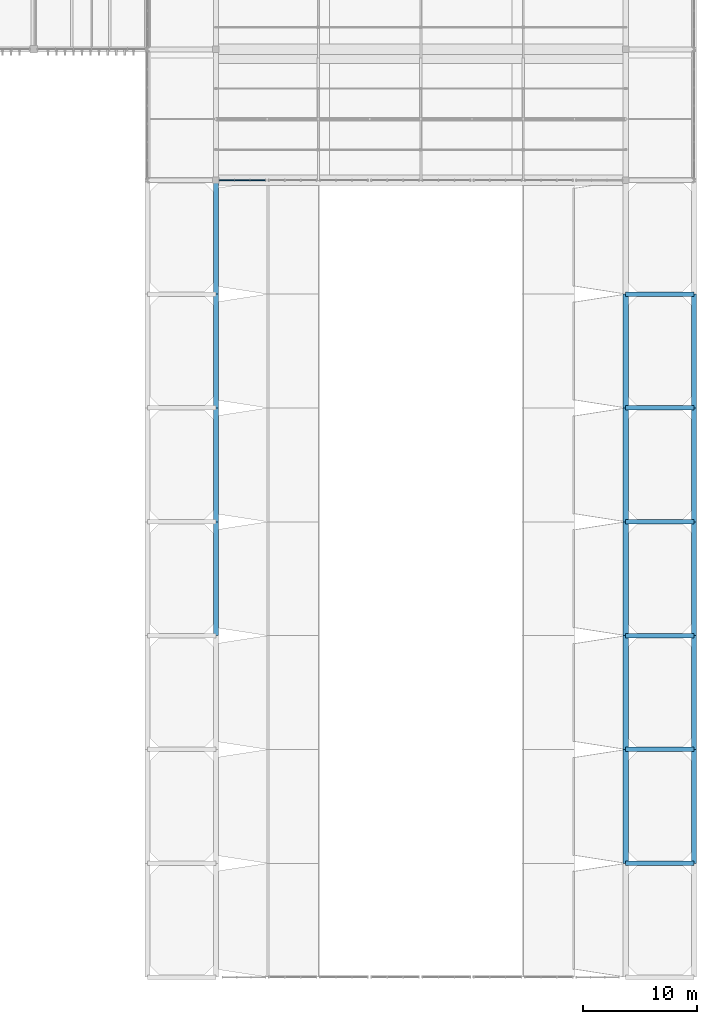
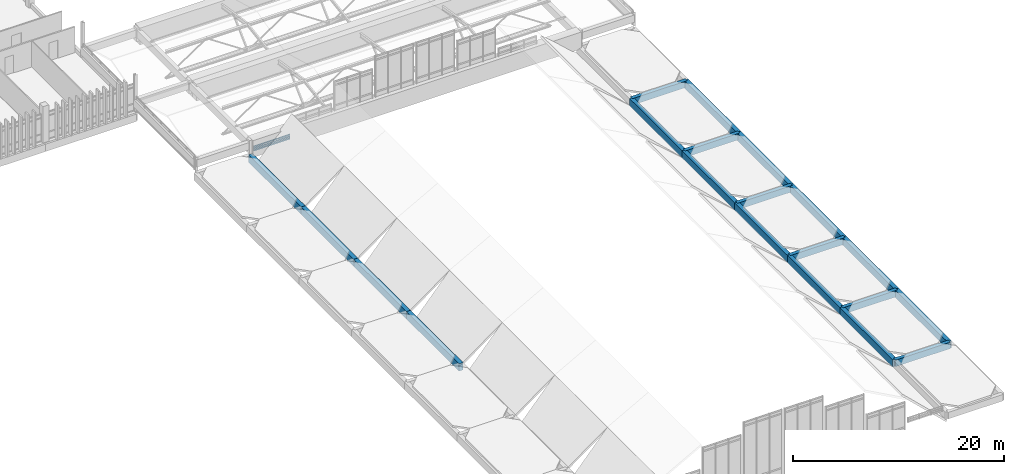
# One storey, part 47 of 82: 20 beams, 9 members, 1 element without a shape of its own.
"""IFC4 building model written with IfcOpenShell, lengths in metres."""

import ifcopenshell
import ifcopenshell.guid

model = None  # the IFC model being written
_history = None  # IfcOwnerHistory: only IFC2X3 demands one
_inside = {}  # id of a spatial element -> (the spatial element, [elements in it])
_under = {}  # id of a project, library or spatial element -> (it, [spatial elements below it])
_declared = {}  # id of a project -> (the project, [libraries it declares])
_typed = {}  # id of a type object -> (the type object, [elements of that type])
_made_of = {}  # id of a material, layer set ... -> (it, [elements and type objects made of it])


def new_model(schema):
    """Start an empty IFC model of exactly this schema.

    Asked for "IFC4X3", IfcOpenShell would pick the latest addendum, in which some entities
    have other attributes; the version numbers below select the first issue.
    IFC2X3 requires an IfcOwnerHistory on every rooted entity: one is made here for all.
    """
    global model, _history
    if schema == "IFC4X3":
        model = ifcopenshell.file(schema_version=(4, 3, 0, 0))
    else:
        model = ifcopenshell.file(schema=schema)
    _inside.clear()
    _under.clear()
    _declared.clear()
    _typed.clear()
    _made_of.clear()
    _history = None
    if model.schema == "IFC2X3":
        org = make("IfcOrganization", Name="unknown")
        user = make(
            "IfcPersonAndOrganization",
            ThePerson=make("IfcPerson", FamilyName="unknown"),
            TheOrganization=org,
        )
        app = make(
            "IfcApplication",
            ApplicationDeveloper=org,
            Version="unknown",
            ApplicationFullName="unknown",
            ApplicationIdentifier="unknown",
        )
        _history = make(
            "IfcOwnerHistory",
            OwningUser=user,
            OwningApplication=app,
            ChangeAction="ADDED",
            CreationDate=0,
        )
    return model


def make(cls, **values):
    """One entity of the class cls with the attributes given. An attribute that is None is left unset."""
    return model.create_entity(
        cls, **{name: value for name, value in values.items() if value is not None}
    )


def rooted(cls, **values):
    """An entity with a GlobalId (a new one), such as an element, a storey or a relation."""
    return make(cls, GlobalId=ifcopenshell.guid.new(), OwnerHistory=_history, **values)


def si_unit(unit_type, name, prefix=None):
    """IfcSIUnit, for example si_unit("LENGTHUNIT", "METRE", prefix="MILLI")."""
    return make("IfcSIUnit", UnitType=unit_type, Prefix=prefix, Name=name)


def assignment(units):
    """IfcUnitAssignment: the units of a project."""
    return None if units is None else make("IfcUnitAssignment", Units=units)


def point(xyz):
    """IfcCartesianPoint."""
    return None if xyz is None else make("IfcCartesianPoint", Coordinates=xyz)


def direction(xyz):
    """IfcDirection."""
    return None if xyz is None else make("IfcDirection", DirectionRatios=xyz)


def frame(location, z_axis=None, x_axis=None):
    """IfcAxis2Placement3D, a coordinate frame: its origin and axes. An axis left out is left unset."""
    return make(
        "IfcAxis2Placement3D",
        Location=point(location),
        Axis=direction(z_axis),
        RefDirection=direction(x_axis),
    )


def frame_2d(location, x_axis=None):
    """IfcAxis2Placement2D, a coordinate frame in the plane: its origin and x axis."""
    return make(
        "IfcAxis2Placement2D", Location=point(location), RefDirection=direction(x_axis)
    )


def origin():
    """The frame at (0, 0, 0) with its axes left unset."""
    return frame((0.0, 0.0, 0.0))


def origin_2d():
    """The frame at (0, 0) in the plane with its x axis left unset."""
    return frame_2d((0.0, 0.0))


def place(relative_to, where):
    """IfcLocalPlacement: puts the frame where relative to a parent placement (None: the world)."""
    return make(
        "IfcLocalPlacement", PlacementRelTo=relative_to, RelativePlacement=where
    )


def context(
    kind, dimensions, precision=None, world=None, true_north=None, identifier=None
):
    """IfcGeometricRepresentationContext, for example the 3D "Model" context."""
    return make(
        "IfcGeometricRepresentationContext",
        ContextIdentifier=identifier,
        ContextType=kind,
        CoordinateSpaceDimension=dimensions,
        Precision=precision,
        WorldCoordinateSystem=world,
        TrueNorth=true_north,
    )


def subcontext(parent, identifier, kind, view, scale=None):
    """IfcGeometricRepresentationSubContext, for example "Body" below "Model"."""
    return make(
        "IfcGeometricRepresentationSubContext",
        ContextIdentifier=identifier,
        ContextType=kind,
        ParentContext=parent,
        TargetScale=scale,
        TargetView=view,
    )


def project(units=None, contexts=None):
    """IfcProject with its units and contexts."""
    return rooted(
        "IfcProject",
        Name="project",
        RepresentationContexts=contexts,
        UnitsInContext=assignment(units),
    )


def spatial(cls, under=None, at=None, **own):
    """A site, building, storey or space (cls), placed at a placement, below another one or the project."""
    s = rooted(cls, ObjectPlacement=at, **own)
    if under is not None:
        _under.setdefault(under.id(), (under, []))[1].append(s)
    return s


def profile(cls, at=None, kind="AREA", **sizes):
    """A parametric profile (cls). Its sizes go by their IFC names, for example OverallWidth=200.0."""
    return make(cls, ProfileType=kind, Position=at, **sizes)


def rectangle(**sizes):
    """IfcRectangleProfileDef."""
    return profile("IfcRectangleProfileDef", **sizes)


def hollow_rectangle(**sizes):
    """IfcRectangleHollowProfileDef."""
    return profile("IfcRectangleHollowProfileDef", **sizes)


def extrude(swept, where, along, depth):
    """IfcExtrudedAreaSolid: the profile swept, set in the frame where, extruded along a direction by depth."""
    return make(
        "IfcExtrudedAreaSolid",
        SweptArea=swept,
        Position=where,
        ExtrudedDirection=direction(along),
        Depth=depth,
    )


def shape(context_of_items, identifier, shape_type, items):
    """IfcShapeRepresentation: the items that make up one representation, for example the "Body"."""
    return make(
        "IfcShapeRepresentation",
        ContextOfItems=context_of_items,
        RepresentationIdentifier=identifier,
        RepresentationType=shape_type,
        Items=items,
    )


def material(Name=None, Category=None):
    """IfcMaterial."""
    return make("IfcMaterial", Name=Name, Category=Category)


def layer(
    of_material, thickness, ventilated=None, Name=None, Category=None, Priority=None
):
    """IfcMaterialLayer: one layer of a wall or slab, of a material (None: an air gap)."""
    return make(
        "IfcMaterialLayer",
        Material=of_material,
        LayerThickness=thickness,
        IsVentilated=ventilated,
        Name=Name,
        Category=Category,
        Priority=Priority,
    )


def layer_set(layers, Name=None):
    """IfcMaterialLayerSet."""
    return make("IfcMaterialLayerSet", MaterialLayers=layers, LayerSetName=Name)


def material_profile(
    of_material, cross_section, Name=None, Category=None, Priority=None
):
    """IfcMaterialProfile: a cross section and its material."""
    return make(
        "IfcMaterialProfile",
        Name=Name,
        Material=of_material,
        Profile=cross_section,
        Priority=Priority,
        Category=Category,
    )


def profile_set(profiles, Name=None, composite=None):
    """IfcMaterialProfileSet."""
    return make(
        "IfcMaterialProfileSet",
        Name=Name,
        MaterialProfiles=profiles,
        CompositeProfile=composite,
    )


def made_of(thing, what):
    """Note that an element or type object is made of a material, layer set ...; save() writes the relation."""
    if what is not None:
        _made_of.setdefault(what.id(), (what, []))[1].append(thing)
    return thing


def type_object(cls, material=None, **own):
    """A type object (cls), such as IfcWallType, which elements share."""
    return made_of(rooted(cls, **own), material)


def element(
    cls,
    number,
    at=None,
    inside=None,
    cuts=None,
    type_object=None,
    material=None,
    context=None,
    identifier="Body",
    shape_type=None,
    held_by="IfcProductDefinitionShape",
    body=None,
    shapes=None,
    **own,
):
    """One element of the class cls, such as IfcWall. Its Tag is "e" and its number.

    at: its placement. inside: the storey or other place that contains it. cuts: it is an
    opening in that element (IfcRelVoidsElement). A single representation is given by context,
    identifier, shape_type and body (its items); several are given by shapes. held_by: the class
    of the entity that holds the representations. save() writes the other relations.
    """
    e = rooted(cls, Tag="e%d" % number, ObjectPlacement=at, **own)
    if body is not None:
        shapes = [shape(context, identifier, shape_type, body)]
    if shapes is not None:
        e.Representation = make(held_by, Representations=shapes)
    if inside is not None:
        _inside.setdefault(inside.id(), (inside, []))[1].append(e)
    if cuts is not None:
        rooted(
            "IfcRelVoidsElement", RelatingBuildingElement=cuts, RelatedOpeningElement=e
        )
    if type_object is not None:
        _typed.setdefault(type_object.id(), (type_object, []))[1].append(e)
    return made_of(e, material)


def aggregate(whole, parts):
    """IfcRelAggregates: a whole, such as a stair, and the parts it consists of."""
    return rooted("IfcRelAggregates", RelatingObject=whole, RelatedObjects=parts)


def save(model, path):
    """Write the relations noted so far, then the file.

    IfcRelAggregates (storeys below a building ...), IfcRelContainedInSpatialStructure (elements
    in a storey), IfcRelDefinesByType, IfcRelAssociatesMaterial and IfcRelDeclares: one each for
    every whole, place, type object, material and project.
    """
    for whole, parts in _under.values():
        aggregate(whole, parts)
    for where, things in _inside.values():
        rooted(
            "IfcRelContainedInSpatialStructure",
            RelatedElements=things,
            RelatingStructure=where,
        )
    for kind, things in _typed.values():
        rooted("IfcRelDefinesByType", RelatedObjects=things, RelatingType=kind)
    for what, things in _made_of.values():
        rooted("IfcRelAssociatesMaterial", RelatedObjects=things, RelatingMaterial=what)
    for by, libraries in _declared.values():
        rooted("IfcRelDeclares", RelatingContext=by, RelatedDefinitions=libraries)
    model.write(path)


model = new_model("IFC4")

# Units and contexts
model_context = context("Model", 3, precision=1e-05, world=origin(), true_north=direction((0.0, 1.0)))
body_context = subcontext(model_context, "Body", "Model", "MODEL_VIEW")
ifc_project = project(units=[si_unit("LENGTHUNIT", "METRE"), si_unit("AREAUNIT", "SQUARE_METRE"), si_unit("VOLUMEUNIT", "CUBIC_METRE"), si_unit("PLANEANGLEUNIT", "RADIAN"), si_unit("MASSUNIT", "GRAM", prefix="KILO")], contexts=[model_context])

# Site, building, storey
site_placement = place(None, origin())
site = spatial("IfcSite", under=ifc_project, at=site_placement, CompositionType="ELEMENT")
building_placement = place(site_placement, origin())
building = spatial("IfcBuilding", under=site, at=building_placement, Name="Mersad Railyard Sports Hall", CompositionType="ELEMENT")
storey_placement = place(building_placement, frame((0.0, 0.0, 13.199951171875)))
storey = spatial("IfcBuildingStorey", under=building, at=storey_placement, Name="L03", CompositionType="ELEMENT", Elevation=13.199951171875)

# Curtain wall, members
ifc_material_1 = material(Name="Aluminium 6063-T6", Category="aluminium")
ifc_layer = layer(ifc_material_1, 0.199951171875)
ifc_layer_set = layer_set([ifc_layer], Name="Aluminium 6063-T6")
curtain_wall_type = type_object("IfcCurtainWallType", Name="ARC-CW-CW41", PredefinedType="USERDEFINED", material=ifc_layer_set)
curtain_wall_placement = place(storey_placement, origin())
curtain_wall = element("IfcCurtainWall", 1, at=curtain_wall_placement, inside=storey, type_object=curtain_wall_type, Name="Curtain wall CW41-0113", ObjectType="CURTAIN WALL", PredefinedType="USERDEFINED")
ifc_material_profile_1 = material_profile(ifc_material_1, hollow_rectangle(XDim=0.06494140625, YDim=0.14990234375, WallThickness=0.00439453125, at=origin_2d()), Name="AL TRANSOM 65x150x4.5")
ifc_profile_set_1 = profile_set([ifc_material_profile_1], Name="Aluminium 6063-T6")
member_type = type_object("IfcMemberType", Name="ARC-CW-TRN02", PredefinedType="USERDEFINED", material=ifc_profile_set_1)
member_1_placement = place(storey_placement, frame((137.31494140625, 73.5, 0.090087890625), z_axis=(1.0, 0.0, 0.0), x_axis=(0.0, 1.0, 0.0)))
member_1 = element("IfcMember", 2, at=member_1_placement, type_object=member_type, Name="CW41 Transom 1-1", ObjectType="TRANSOM", PredefinedType="USERDEFINED", context=body_context, shape_type="SweptSolid", body=[
    extrude(hollow_rectangle(XDim=0.06494140625, YDim=0.14990234375, WallThickness=0.00439453125, at=origin_2d()), origin(), (0.0, 0.0, 1.0), 1.311767578125),
])
member_2_placement = place(storey_placement, frame((138.666748046875, 73.5, 0.090087890625), z_axis=(1.0, 0.0, 0.0), x_axis=(0.0, 1.0, 0.0)))
member_2 = element("IfcMember", 3, at=member_2_placement, type_object=member_type, Name="CW41 Transom 1-2", ObjectType="TRANSOM", PredefinedType="USERDEFINED", context=body_context, shape_type="SweptSolid", body=[
    extrude(hollow_rectangle(XDim=0.06494140625, YDim=0.14990234375, WallThickness=0.00439453125, at=origin_2d()), origin(), (0.0, 0.0, 1.0), 1.3115234375),
])
member_3_placement = place(storey_placement, frame((140.018310546875, 73.5, 0.090087890625), z_axis=(1.0, 0.0, 0.0), x_axis=(0.0, 1.0, 0.0)))
member_3 = element("IfcMember", 4, at=member_3_placement, type_object=member_type, Name="CW41 Transom 1-3", ObjectType="TRANSOM", PredefinedType="USERDEFINED", context=body_context, shape_type="SweptSolid", body=[
    extrude(hollow_rectangle(XDim=0.06494140625, YDim=0.14990234375, WallThickness=0.00439453125, at=origin_2d()), origin(), (0.0, 0.0, 1.0), 1.311767578125),
])
member_4_placement = place(storey_placement, frame((137.31494140625, 73.5, 0.31494140625), z_axis=(1.0, 0.0, 0.0), x_axis=(0.0, 1.0, 0.0)))
member_4 = element("IfcMember", 5, at=member_4_placement, type_object=member_type, Name="CW41 Transom 2-1", ObjectType="TRANSOM", PredefinedType="USERDEFINED", context=body_context, shape_type="SweptSolid", body=[
    extrude(hollow_rectangle(XDim=0.06494140625, YDim=0.14990234375, WallThickness=0.00439453125, at=origin_2d()), origin(), (0.0, 0.0, 1.0), 1.311767578125),
])
member_5_placement = place(storey_placement, frame((138.666748046875, 73.5, 0.31494140625), z_axis=(1.0, 0.0, 0.0), x_axis=(0.0, 1.0, 0.0)))
member_5 = element("IfcMember", 6, at=member_5_placement, type_object=member_type, Name="CW41 Transom 2-2", ObjectType="TRANSOM", PredefinedType="USERDEFINED", context=body_context, shape_type="SweptSolid", body=[
    extrude(hollow_rectangle(XDim=0.06494140625, YDim=0.14990234375, WallThickness=0.00439453125, at=origin_2d()), origin(), (0.0, 0.0, 1.0), 1.3115234375),
])
member_6_placement = place(storey_placement, frame((140.018310546875, 73.5, 0.31494140625), z_axis=(1.0, 0.0, 0.0), x_axis=(0.0, 1.0, 0.0)))
member_6 = element("IfcMember", 7, at=member_6_placement, type_object=member_type, Name="CW41 Transom 2-3", ObjectType="TRANSOM", PredefinedType="USERDEFINED", context=body_context, shape_type="SweptSolid", body=[
    extrude(hollow_rectangle(XDim=0.06494140625, YDim=0.14990234375, WallThickness=0.00439453125, at=origin_2d()), origin(), (0.0, 0.0, 1.0), 1.311767578125),
])
member_7_placement = place(storey_placement, frame((137.31494140625, 73.5, 0.5400390625), z_axis=(1.0, 0.0, 0.0), x_axis=(0.0, 1.0, 0.0)))
member_7 = element("IfcMember", 8, at=member_7_placement, type_object=member_type, Name="CW41 Transom 3-1", ObjectType="TRANSOM", PredefinedType="USERDEFINED", context=body_context, shape_type="SweptSolid", body=[
    extrude(hollow_rectangle(XDim=0.06494140625, YDim=0.14990234375, WallThickness=0.00439453125, at=origin_2d()), origin(), (0.0, 0.0, 1.0), 1.311767578125),
])
member_8_placement = place(storey_placement, frame((138.666748046875, 73.5, 0.5400390625), z_axis=(1.0, 0.0, 0.0), x_axis=(0.0, 1.0, 0.0)))
member_8 = element("IfcMember", 9, at=member_8_placement, type_object=member_type, Name="CW41 Transom 3-2", ObjectType="TRANSOM", PredefinedType="USERDEFINED", context=body_context, shape_type="SweptSolid", body=[
    extrude(hollow_rectangle(XDim=0.06494140625, YDim=0.14990234375, WallThickness=0.00439453125, at=origin_2d()), origin(), (0.0, 0.0, 1.0), 1.3115234375),
])
member_9_placement = place(storey_placement, frame((140.018310546875, 73.5, 0.5400390625), z_axis=(1.0, 0.0, 0.0), x_axis=(0.0, 1.0, 0.0)))
member_9 = element("IfcMember", 10, at=member_9_placement, type_object=member_type, Name="CW41 Transom 3-3", ObjectType="TRANSOM", PredefinedType="USERDEFINED", context=body_context, shape_type="SweptSolid", body=[
    extrude(hollow_rectangle(XDim=0.06494140625, YDim=0.14990234375, WallThickness=0.00439453125, at=origin_2d()), origin(), (0.0, 0.0, 1.0), 1.311767578125),
])
aggregate(curtain_wall, [member_1, member_2, member_3, member_4, member_5, member_6, member_7, member_8, member_9])

# Beams
ifc_material_2 = material(Name="Concrete C40/50", Category="concrete")
ifc_material_profile_2 = material_profile(ifc_material_2, rectangle(XDim=0.39990234375, YDim=0.75, at=origin_2d()), Name="RC 400x750")
ifc_profile_set_2 = profile_set([ifc_material_profile_2], Name="Concrete C40/50")
beam_type_1 = type_object("IfcBeamType", Name="STR-BM-B01", PredefinedType="BEAM", material=ifc_profile_set_2)
for number, where, z_axis, x_axis, name in (
    (11, (173.0, 13.5, -0.594970703125), (1.0, 0.0, 0.0), (0.0, 1.0, 0.0), "Beam B01-0684"),
    (12, (173.0, 23.5, -0.594970703125), (1.0, 0.0, 0.0), (0.0, 1.0, 0.0), "Beam B01-0685"),
    (13, (173.0, 33.5, -0.594970703125), (1.0, 0.0, 0.0), (0.0, 1.0, 0.0), "Beam B01-0686"),
    (14, (173.0, 43.5, -0.594970703125), (1.0, 0.0, 0.0), (0.0, 1.0, 0.0), "Beam B01-0687"),
    (15, (173.0, 53.5, -0.594970703125), (1.0, 0.0, 0.0), (0.0, 1.0, 0.0), "Beam B01-0688"),
    (16, (173.0, 63.5, -0.594970703125), (1.0, 0.0, 0.0), (0.0, 1.0, 0.0), "Beam B01-0689"),
):
    element("IfcBeam", number, at=place(storey_placement, frame(where, z_axis=z_axis, x_axis=x_axis)), inside=storey, type_object=beam_type_1, Name=name, PredefinedType="BEAM", context=body_context, shape_type="SweptSolid", body=[
        extrude(rectangle(XDim=0.39990234375, YDim=0.75, at=origin_2d()), origin(), (0.0, 0.0, 1.0), 6.0),
    ])
ifc_material_profile_3 = material_profile(ifc_material_2, rectangle(XDim=0.449951171875, YDim=0.85009765625, at=origin_2d()), Name="RC 450x850")
ifc_profile_set_3 = profile_set([ifc_material_profile_3], Name="Concrete C40/50")
beam_type_2 = type_object("IfcBeamType", Name="STR-BM-B02", PredefinedType="BEAM", material=ifc_profile_set_3)
for number, where, z_axis, x_axis, name in (
    (17, (137.0, 33.5, -0.64501953125), (0.0, 1.0, 0.0), (-1.0, 0.0, 0.0), "Beam B02-0679"),
    (18, (137.0, 43.5, -0.64501953125), (0.0, 1.0, 0.0), (-1.0, 0.0, 0.0), "Beam B02-0680"),
    (19, (137.0, 53.5, -0.64501953125), (0.0, 1.0, 0.0), (-1.0, 0.0, 0.0), "Beam B02-0681"),
    (20, (137.0, 63.5, -0.64501953125), (0.0, 1.0, 0.0), (-1.0, 0.0, 0.0), "Beam B02-0682"),
    (21, (173.0, 13.5, -0.64501953125), (0.0, 1.0, 0.0), (-1.0, 0.0, 0.0), "Beam B02-0692"),
    (22, (173.0, 23.5, -0.64501953125), (0.0, 1.0, 0.0), (-1.0, 0.0, 0.0), "Beam B02-0693"),
    (23, (173.0, 33.5, -0.64501953125), (0.0, 1.0, 0.0), (-1.0, 0.0, 0.0), "Beam B02-0694"),
    (24, (173.0, 43.5, -0.64501953125), (0.0, 1.0, 0.0), (-1.0, 0.0, 0.0), "Beam B02-0695"),
    (25, (173.0, 53.5, -0.64501953125), (0.0, 1.0, 0.0), (-1.0, 0.0, 0.0), "Beam B02-0696"),
    (26, (179.0, 13.5, -0.64501953125), (0.0, 1.0, 0.0), (-1.0, 0.0, 0.0), "Beam B02-0699"),
    (27, (179.0, 23.5, -0.64501953125), (0.0, 1.0, 0.0), (-1.0, 0.0, 0.0), "Beam B02-0700"),
    (28, (179.0, 33.5, -0.64501953125), (0.0, 1.0, 0.0), (-1.0, 0.0, 0.0), "Beam B02-0701"),
    (29, (179.0, 43.5, -0.64501953125), (0.0, 1.0, 0.0), (-1.0, 0.0, 0.0), "Beam B02-0702"),
    (30, (179.0, 53.5, -0.64501953125), (0.0, 1.0, 0.0), (-1.0, 0.0, 0.0), "Beam B02-0703"),
):
    element("IfcBeam", number, at=place(storey_placement, frame(where, z_axis=z_axis, x_axis=x_axis)), inside=storey, type_object=beam_type_2, Name=name, PredefinedType="BEAM", context=body_context, shape_type="SweptSolid", body=[
        extrude(rectangle(XDim=0.449951171875, YDim=0.85009765625, at=origin_2d()), origin(), (0.0, 0.0, 1.0), 10.0),
    ])

save(model, "model.ifc")
